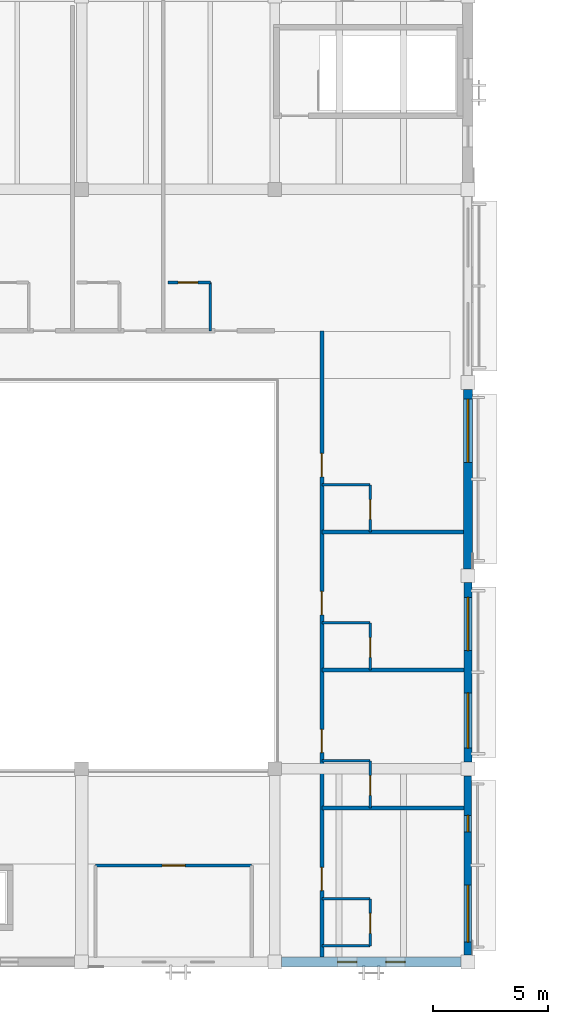
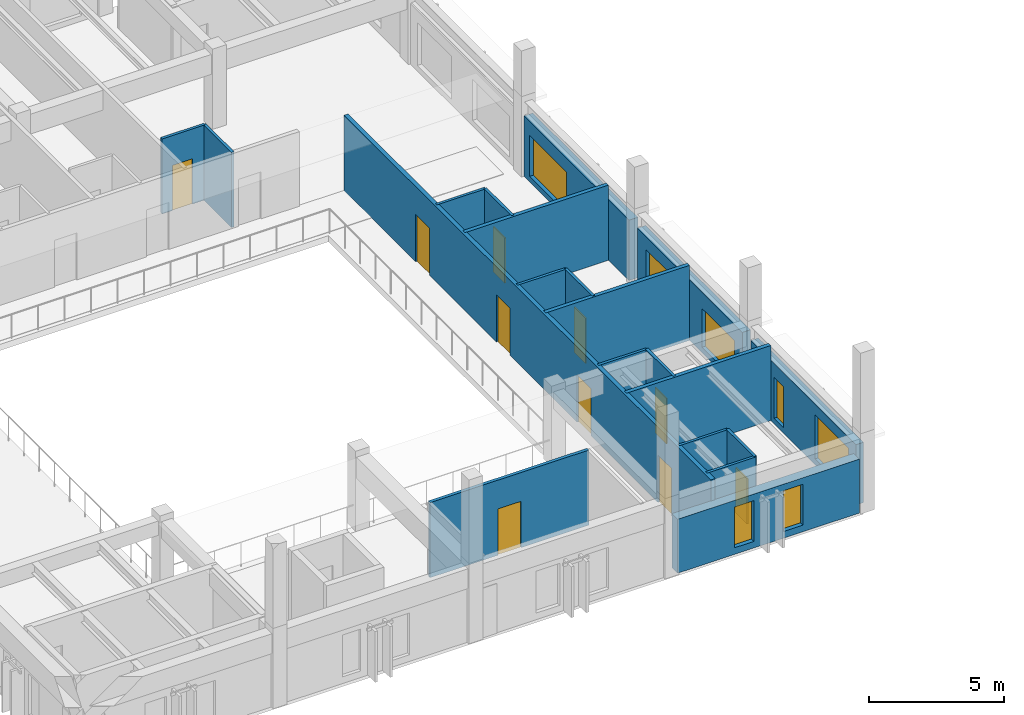
# One storey, part 68 of 118: 20 walls, 10 doors, 7 windows, 17 openings.
"""IFC4 building model written with IfcOpenShell, lengths in metres."""

from ifc_helpers import new_model, si_unit, direction, frame, frame_2d, origin, place, context, subcontext, project, spatial, rectangle, extrude, material, layer, layer_set, type_object, element, fill, save


model = new_model("IFC4")

# Units and contexts
model_context = context("Model", 3, precision=1e-05, world=origin(), true_north=direction((0.0, 1.0)))
body_context = subcontext(model_context, "Body", "Model", "MODEL_VIEW")
ifc_project = project(units=[si_unit("LENGTHUNIT", "METRE"), si_unit("AREAUNIT", "SQUARE_METRE"), si_unit("VOLUMEUNIT", "CUBIC_METRE"), si_unit("PLANEANGLEUNIT", "RADIAN"), si_unit("MASSUNIT", "GRAM", prefix="KILO")], contexts=[model_context])

# Site, building, storey
site_placement = place(None, origin())
site = spatial("IfcSite", under=ifc_project, at=site_placement, CompositionType="ELEMENT")
building_placement = place(site_placement, origin())
building = spatial("IfcBuilding", under=site, at=building_placement, Name="Cumbredor Promenade Congress Hotel", CompositionType="ELEMENT")
storey_placement = place(building_placement, frame((0.0, 0.0, 3.919921875)))
storey = spatial("IfcBuildingStorey", under=building, at=storey_placement, Name="L01", CompositionType="ELEMENT", Elevation=3.919921875)

# Wall, opening, door
ifc_material_1 = material(Name="Moisture-resistant gypsum board on steel studs", Category="steel")
ifc_layer_1 = layer(ifc_material_1, 0.114990234375, Name="Moisture-resistant gypsum board on steel studs", Category="steel")
ifc_layer_set_1 = layer_set([ifc_layer_1], Name="Moisture-resistant gypsum board on steel studs")
wall_type_1 = type_object("IfcWallType", Name="WL-BATH-115", PredefinedType="PARTITIONING", material=ifc_layer_set_1)
wall_1_placement = place(storey_placement, frame((96.14990234375, 37.949951171875, 0.0), z_axis=(0.0, 0.0, 1.0), x_axis=(1.0, 0.0, 0.0)))
wall_1 = element("IfcWall", 1, at=wall_1_placement, inside=storey, type_object=wall_type_1, Name="L01 Interior Partition W-L01-SBH-S104", PredefinedType="PARTITIONING", context=body_context, shape_type="SweptSolid", body=[
    extrude(rectangle(XDim=1.85009765625, YDim=0.114990234375, at=frame_2d((0.925048828125, 0.0))), origin(), (0.0, 0.0, 1.0), 3.405029296875),
])
opening_1_placement = place(wall_1_placement, frame((0.449951171875, 0.0, 0.0)))
opening_1 = element("IfcOpeningElement", 2, at=opening_1_placement, cuts=wall_1, Name="Opening ID-01", PredefinedType="OPENING", context=body_context, shape_type="SweptSolid", body=[
    extrude(rectangle(XDim=0.860107421875, YDim=2.050048828125, at=frame_2d((0.43017578125, 1.02490234375))), frame((0.0, 0.0673828125, 0.0), z_axis=(0.0, -1.0, 0.0), x_axis=(1.0, 0.0, 0.0)), (0.0, 0.0, 1.0), 0.135009765625),
])
ifc_material_2 = material(Name="Kiln-dried tropical hardwood", Category="wood")
door_type_1 = type_object("IfcDoorType", Name="DR-BATH-860", OperationType="NOTDEFINED", PredefinedType="DOOR", material=ifc_material_2)
door_1_placement = place(opening_1_placement, origin())
door_1 = element("IfcDoor", 3, at=door_1_placement, inside=storey, type_object=door_type_1, Name="L01 Interior Door W-L01-SBH-S104-01", OperationType="SINGLE_SWING_LEFT", OverallHeight=2.050048828125, OverallWidth=0.860107421875, PredefinedType="DOOR", context=body_context, shape_type="SweptSolid", body=[
    extrude(rectangle(XDim=0.860107421875, YDim=2.050048828125, at=frame_2d((0.43017578125, 1.02490234375))), frame((0.0, 0.02490234375, 0.0), z_axis=(0.0, -1.0, 0.0), x_axis=(1.0, 0.0, 0.0)), (0.0, 0.0, 1.0), 0.050048828125),
])
fill(opening_1, door_1)

# Wall
wall_2_placement = place(storey_placement, frame((98.0, 35.85009765625, 0.0), z_axis=(0.0, 0.0, 1.0), x_axis=(0.0, 1.0, 0.0)))
element("IfcWall", 4, at=wall_2_placement, inside=storey, type_object=wall_type_1, Name="L01 Interior Partition W-L01-SBV-S104", PredefinedType="PARTITIONING", context=body_context, shape_type="SweptSolid", body=[
    extrude(rectangle(XDim=2.099853515625, YDim=0.114990234375, at=frame_2d((1.0498046875, 0.0))), origin(), (0.0, 0.0, 1.0), 3.405029296875),
])

# Wall, opening, door
wall_3_placement = place(storey_placement, frame((104.949951171875, 9.10009765625, 0.0), z_axis=(0.0, 0.0, 1.0), x_axis=(0.0, 1.0, 0.0)))
wall_3 = element("IfcWall", 5, at=wall_3_placement, inside=storey, type_object=wall_type_1, Name="L01 Interior Partition W-L01-SEBH-S107", PredefinedType="PARTITIONING", context=body_context, shape_type="SweptSolid", body=[
    extrude(rectangle(XDim=2.0498046875, YDim=0.114990234375, at=frame_2d((1.02490234375, 0.0))), origin(), (0.0, 0.0, 1.0), 3.405029296875),
])
opening_2_placement = place(wall_3_placement, frame((0.550048828125, 0.0, 0.0)))
opening_2 = element("IfcOpeningElement", 6, at=opening_2_placement, cuts=wall_3, Name="Opening ID-01", PredefinedType="OPENING", context=body_context, shape_type="SweptSolid", body=[
    extrude(rectangle(XDim=0.860107421875, YDim=2.050048828125, at=frame_2d((0.43017578125, 1.02490234375))), frame((0.0, 0.0673828125, 0.0), z_axis=(0.0, -1.0, 0.0), x_axis=(1.0, 0.0, 0.0)), (0.0, 0.0, 1.0), 0.135009765625),
])
door_2_placement = place(opening_2_placement, origin())
door_2 = element("IfcDoor", 7, at=door_2_placement, inside=storey, type_object=door_type_1, Name="L01 Interior Door W-L01-SEBH-S107-01", OperationType="SINGLE_SWING_RIGHT", OverallHeight=2.050048828125, OverallWidth=0.860107421875, PredefinedType="DOOR", context=body_context, shape_type="SweptSolid", body=[
    extrude(rectangle(XDim=0.860107421875, YDim=2.050048828125, at=frame_2d((0.43017578125, 1.02490234375))), frame((0.0, 0.02490234375, 0.0), z_axis=(0.0, -1.0, 0.0), x_axis=(1.0, 0.0, 0.0)), (0.0, 0.0, 1.0), 0.050048828125),
])
fill(opening_2, door_2)

# Walls
for number, where, z_axis, x_axis, name in (
    (8, (102.85009765625, 11.14990234375, 0.0), (0.0, 0.0, 1.0), (1.0, 0.0, 0.0), "L01 Interior Partition W-L01-SEBV-S107"),
    (9, (102.85009765625, 9.10009765625, 0.0), (0.0, 0.0, 1.0), (1.0, 0.0, 0.0), "L01 Interior Partition W-L01-SEBV0-S107"),
):
    element("IfcWall", number, at=place(storey_placement, frame(where, z_axis=z_axis, x_axis=x_axis)), inside=storey, type_object=wall_type_1, Name=name, PredefinedType="PARTITIONING", context=body_context, shape_type="SweptSolid", body=[
        extrude(rectangle(XDim=2.099853515625, YDim=0.114990234375, at=frame_2d((1.0498046875, 0.0))), origin(), (0.0, 0.0, 1.0), 3.405029296875),
    ])

# Wall, opening, door
wall_4_placement = place(storey_placement, frame((104.949951171875, 15.10009765625, 0.0), z_axis=(0.0, 0.0, 1.0), x_axis=(0.0, 1.0, 0.0)))
wall_4 = element("IfcWall", 10, at=wall_4_placement, inside=storey, type_object=wall_type_1, Name="L01 Interior Partition W-L01-SEBH-S108", PredefinedType="PARTITIONING", context=body_context, shape_type="SweptSolid", body=[
    extrude(rectangle(XDim=2.0498046875, YDim=0.114990234375, at=frame_2d((1.02490234375, 0.0))), origin(), (0.0, 0.0, 1.0), 3.405029296875),
])
opening_3_placement = place(wall_4_placement, frame((0.550048828125, 0.0, 0.0)))
opening_3 = element("IfcOpeningElement", 11, at=opening_3_placement, cuts=wall_4, Name="Opening ID-01", PredefinedType="OPENING", context=body_context, shape_type="SweptSolid", body=[
    extrude(rectangle(XDim=0.860107421875, YDim=2.050048828125, at=frame_2d((0.43017578125, 1.02490234375))), frame((0.0, 0.0673828125, 0.0), z_axis=(0.0, -1.0, 0.0), x_axis=(1.0, 0.0, 0.0)), (0.0, 0.0, 1.0), 0.135009765625),
])
door_3_placement = place(opening_3_placement, origin())
door_3 = element("IfcDoor", 12, at=door_3_placement, inside=storey, type_object=door_type_1, Name="L01 Interior Door W-L01-SEBH-S108-01", OperationType="SINGLE_SWING_LEFT", OverallHeight=2.050048828125, OverallWidth=0.860107421875, PredefinedType="DOOR", context=body_context, shape_type="SweptSolid", body=[
    extrude(rectangle(XDim=0.860107421875, YDim=2.050048828125, at=frame_2d((0.43017578125, 1.02490234375))), frame((0.0, 0.02490234375, 0.0), z_axis=(0.0, -1.0, 0.0), x_axis=(1.0, 0.0, 0.0)), (0.0, 0.0, 1.0), 0.050048828125),
])
fill(opening_3, door_3)

# Wall
wall_5_placement = place(storey_placement, frame((102.85009765625, 17.14990234375, 0.0), z_axis=(0.0, 0.0, 1.0), x_axis=(1.0, 0.0, 0.0)))
element("IfcWall", 13, at=wall_5_placement, inside=storey, type_object=wall_type_1, Name="L01 Interior Partition W-L01-SEBV-S108", PredefinedType="PARTITIONING", context=body_context, shape_type="SweptSolid", body=[
    extrude(rectangle(XDim=2.099853515625, YDim=0.114990234375, at=frame_2d((1.0498046875, 0.0))), origin(), (0.0, 0.0, 1.0), 3.405029296875),
])

# Wall, opening, door
wall_6_placement = place(storey_placement, frame((104.949951171875, 21.10009765625, 0.0), z_axis=(0.0, 0.0, 1.0), x_axis=(0.0, 1.0, 0.0)))
wall_6 = element("IfcWall", 14, at=wall_6_placement, inside=storey, type_object=wall_type_1, Name="L01 Interior Partition W-L01-SEBH-S109", PredefinedType="PARTITIONING", context=body_context, shape_type="SweptSolid", body=[
    extrude(rectangle(XDim=2.0498046875, YDim=0.114990234375, at=frame_2d((1.02490234375, 0.0))), origin(), (0.0, 0.0, 1.0), 3.405029296875),
])
opening_4_placement = place(wall_6_placement, frame((0.550048828125, 0.0, 0.0)))
opening_4 = element("IfcOpeningElement", 15, at=opening_4_placement, cuts=wall_6, Name="Opening ID-01", PredefinedType="OPENING", context=body_context, shape_type="SweptSolid", body=[
    extrude(rectangle(XDim=0.860107421875, YDim=2.050048828125, at=frame_2d((0.43017578125, 1.02490234375))), frame((0.0, 0.0673828125, 0.0), z_axis=(0.0, -1.0, 0.0), x_axis=(1.0, 0.0, 0.0)), (0.0, 0.0, 1.0), 0.135009765625),
])
door_4_placement = place(opening_4_placement, origin())
door_4 = element("IfcDoor", 16, at=door_4_placement, inside=storey, type_object=door_type_1, Name="L01 Interior Door W-L01-SEBH-S109-01", OperationType="SINGLE_SWING_RIGHT", OverallHeight=2.050048828125, OverallWidth=0.860107421875, PredefinedType="DOOR", context=body_context, shape_type="SweptSolid", body=[
    extrude(rectangle(XDim=0.860107421875, YDim=2.050048828125, at=frame_2d((0.43017578125, 1.02490234375))), frame((0.0, 0.02490234375, 0.0), z_axis=(0.0, -1.0, 0.0), x_axis=(1.0, 0.0, 0.0)), (0.0, 0.0, 1.0), 0.050048828125),
])
fill(opening_4, door_4)

# Wall
wall_7_placement = place(storey_placement, frame((102.85009765625, 23.14990234375, 0.0), z_axis=(0.0, 0.0, 1.0), x_axis=(1.0, 0.0, 0.0)))
element("IfcWall", 17, at=wall_7_placement, inside=storey, type_object=wall_type_1, Name="L01 Interior Partition W-L01-SEBV-S109", PredefinedType="PARTITIONING", context=body_context, shape_type="SweptSolid", body=[
    extrude(rectangle(XDim=2.099853515625, YDim=0.114990234375, at=frame_2d((1.0498046875, 0.0))), origin(), (0.0, 0.0, 1.0), 3.405029296875),
])

# Wall, opening, door
wall_8_placement = place(storey_placement, frame((104.949951171875, 27.10009765625, 0.0), z_axis=(0.0, 0.0, 1.0), x_axis=(0.0, 1.0, 0.0)))
wall_8 = element("IfcWall", 18, at=wall_8_placement, inside=storey, type_object=wall_type_1, Name="L01 Interior Partition W-L01-SEBH-S110", PredefinedType="PARTITIONING", context=body_context, shape_type="SweptSolid", body=[
    extrude(rectangle(XDim=2.0498046875, YDim=0.114990234375, at=frame_2d((1.02490234375, 0.0))), origin(), (0.0, 0.0, 1.0), 3.405029296875),
])
opening_5_placement = place(wall_8_placement, frame((0.550048828125, 0.0, 0.0)))
opening_5 = element("IfcOpeningElement", 19, at=opening_5_placement, cuts=wall_8, Name="Opening ID-01", PredefinedType="OPENING", context=body_context, shape_type="SweptSolid", body=[
    extrude(rectangle(XDim=0.860107421875, YDim=2.050048828125, at=frame_2d((0.43017578125, 1.02490234375))), frame((0.0, 0.0673828125, 0.0), z_axis=(0.0, -1.0, 0.0), x_axis=(1.0, 0.0, 0.0)), (0.0, 0.0, 1.0), 0.135009765625),
])
door_5_placement = place(opening_5_placement, origin())
door_5 = element("IfcDoor", 20, at=door_5_placement, inside=storey, type_object=door_type_1, Name="L01 Interior Door W-L01-SEBH-S110-01", OperationType="SINGLE_SWING_LEFT", OverallHeight=2.050048828125, OverallWidth=0.860107421875, PredefinedType="DOOR", context=body_context, shape_type="SweptSolid", body=[
    extrude(rectangle(XDim=0.860107421875, YDim=2.050048828125, at=frame_2d((0.43017578125, 1.02490234375))), frame((0.0, 0.02490234375, 0.0), z_axis=(0.0, -1.0, 0.0), x_axis=(1.0, 0.0, 0.0)), (0.0, 0.0, 1.0), 0.050048828125),
])
fill(opening_5, door_5)

# Wall
wall_9_placement = place(storey_placement, frame((102.85009765625, 29.14990234375, 0.0), z_axis=(0.0, 0.0, 1.0), x_axis=(1.0, 0.0, 0.0)))
element("IfcWall", 21, at=wall_9_placement, inside=storey, type_object=wall_type_1, Name="L01 Interior Partition W-L01-SEBV-S110", PredefinedType="PARTITIONING", context=body_context, shape_type="SweptSolid", body=[
    extrude(rectangle(XDim=2.099853515625, YDim=0.114990234375, at=frame_2d((1.0498046875, 0.0))), origin(), (0.0, 0.0, 1.0), 3.405029296875),
])

# Wall, openings, doors
ifc_material_3 = material(Name="Fire-rated hotel corridor wall")
ifc_layer_2 = layer(ifc_material_3, 0.179931640625, Name="Fire-rated hotel corridor wall")
ifc_layer_set_2 = layer_set([ifc_layer_2], Name="Fire-rated hotel corridor wall")
wall_type_2 = type_object("IfcWallType", Name="WL-CORR-180", PredefinedType="PARTITIONING", material=ifc_layer_set_2)
wall_10_placement = place(storey_placement, frame((102.85009765625, 8.590087890625, 0.0), z_axis=(0.0, 0.0, 1.0), x_axis=(0.0, 1.0, 0.0)))
wall_10 = element("IfcWall", 22, at=wall_10_placement, inside=storey, type_object=wall_type_2, Name="L01 Interior Partition W-L01-SECORRW", PredefinedType="PARTITIONING", context=body_context, shape_type="SweptSolid", body=[
    extrude(rectangle(XDim=27.260009765625, YDim=0.179931640625, at=frame_2d((13.6298828125, 0.0))), origin(), (0.0, 0.0, 1.0), 3.405029296875),
])
opening_6_placement = place(wall_10_placement, frame((2.909912109375, 0.0, 0.0)))
opening_6 = element("IfcOpeningElement", 23, at=opening_6_placement, cuts=wall_10, Name="Opening FD-02", PredefinedType="OPENING", context=body_context, shape_type="SweptSolid", body=[
    extrude(rectangle(XDim=1.02001953125, YDim=2.14990234375, at=frame_2d((0.510009765625, 1.074951171875))), frame((0.0, 0.10009765625, 0.0), z_axis=(0.0, -1.0, 0.0), x_axis=(1.0, 0.0, 0.0)), (0.0, 0.0, 1.0), 0.199951171875),
])
opening_7_placement = place(wall_10_placement, frame((8.909912109375, 0.0, 0.0)))
opening_7 = element("IfcOpeningElement", 24, at=opening_7_placement, cuts=wall_10, Name="Opening FD-02", PredefinedType="OPENING", context=body_context, shape_type="SweptSolid", body=[
    extrude(rectangle(XDim=1.02001953125, YDim=2.14990234375, at=frame_2d((0.510009765625, 1.074951171875))), frame((0.0, 0.10009765625, 0.0), z_axis=(0.0, -1.0, 0.0), x_axis=(1.0, 0.0, 0.0)), (0.0, 0.0, 1.0), 0.199951171875),
])
opening_8_placement = place(wall_10_placement, frame((14.909912109375, 0.0, 0.0)))
opening_8 = element("IfcOpeningElement", 25, at=opening_8_placement, cuts=wall_10, Name="Opening FD-02", PredefinedType="OPENING", context=body_context, shape_type="SweptSolid", body=[
    extrude(rectangle(XDim=1.02001953125, YDim=2.14990234375, at=frame_2d((0.510009765625, 1.074951171875))), frame((0.0, 0.10009765625, 0.0), z_axis=(0.0, -1.0, 0.0), x_axis=(1.0, 0.0, 0.0)), (0.0, 0.0, 1.0), 0.199951171875),
])
opening_9_placement = place(wall_10_placement, frame((20.909912109375, 0.0, 0.0)))
opening_9 = element("IfcOpeningElement", 26, at=opening_9_placement, cuts=wall_10, Name="Opening FD-02", PredefinedType="OPENING", context=body_context, shape_type="SweptSolid", body=[
    extrude(rectangle(XDim=1.02001953125, YDim=2.14990234375, at=frame_2d((0.510009765625, 1.074951171875))), frame((0.0, 0.10009765625, 0.0), z_axis=(0.0, -1.0, 0.0), x_axis=(1.0, 0.0, 0.0)), (0.0, 0.0, 1.0), 0.199951171875),
])
ifc_material_4 = material(Name="Solid-core fire-rated tropical hardwood", Category="wood")
door_type_2 = type_object("IfcDoorType", Name="DR-GUEST-FD30-1000", OperationType="NOTDEFINED", PredefinedType="DOOR", material=ifc_material_4)
door_6_placement = place(opening_6_placement, origin())
door_6 = element("IfcDoor", 27, at=door_6_placement, inside=storey, type_object=door_type_2, Name="L01 Interior Door W-L01-SECORRW-01", OperationType="SINGLE_SWING_LEFT", OverallHeight=2.14990234375, OverallWidth=1.02001953125, PredefinedType="DOOR", context=body_context, shape_type="SweptSolid", body=[
    extrude(rectangle(XDim=1.02001953125, YDim=2.14990234375, at=frame_2d((0.510009765625, 1.074951171875))), frame((0.0, 0.02490234375, 0.0), z_axis=(0.0, -1.0, 0.0), x_axis=(1.0, 0.0, 0.0)), (0.0, 0.0, 1.0), 0.050048828125),
])
fill(opening_6, door_6)
door_7_placement = place(opening_7_placement, origin())
door_7 = element("IfcDoor", 28, at=door_7_placement, inside=storey, type_object=door_type_2, Name="L01 Interior Door W-L01-SECORRW-02", OperationType="SINGLE_SWING_RIGHT", OverallHeight=2.14990234375, OverallWidth=1.02001953125, PredefinedType="DOOR", context=body_context, shape_type="SweptSolid", body=[
    extrude(rectangle(XDim=1.02001953125, YDim=2.14990234375, at=frame_2d((0.510009765625, 1.074951171875))), frame((0.0, 0.02490234375, 0.0), z_axis=(0.0, -1.0, 0.0), x_axis=(1.0, 0.0, 0.0)), (0.0, 0.0, 1.0), 0.050048828125),
])
fill(opening_7, door_7)
door_8_placement = place(opening_8_placement, origin())
door_8 = element("IfcDoor", 29, at=door_8_placement, inside=storey, type_object=door_type_2, Name="L01 Interior Door W-L01-SECORRW-03", OperationType="SINGLE_SWING_LEFT", OverallHeight=2.14990234375, OverallWidth=1.02001953125, PredefinedType="DOOR", context=body_context, shape_type="SweptSolid", body=[
    extrude(rectangle(XDim=1.02001953125, YDim=2.14990234375, at=frame_2d((0.510009765625, 1.074951171875))), frame((0.0, 0.02490234375, 0.0), z_axis=(0.0, -1.0, 0.0), x_axis=(1.0, 0.0, 0.0)), (0.0, 0.0, 1.0), 0.050048828125),
])
fill(opening_8, door_8)
door_9_placement = place(opening_9_placement, origin())
door_9 = element("IfcDoor", 30, at=door_9_placement, inside=storey, type_object=door_type_2, Name="L01 Interior Door W-L01-SECORRW-04", OperationType="SINGLE_SWING_RIGHT", OverallHeight=2.14990234375, OverallWidth=1.02001953125, PredefinedType="DOOR", context=body_context, shape_type="SweptSolid", body=[
    extrude(rectangle(XDim=1.02001953125, YDim=2.14990234375, at=frame_2d((0.510009765625, 1.074951171875))), frame((0.0, 0.02490234375, 0.0), z_axis=(0.0, -1.0, 0.0), x_axis=(1.0, 0.0, 0.0)), (0.0, 0.0, 1.0), 0.050048828125),
])
fill(opening_9, door_9)

# Wall, openings, windows
ifc_material_5 = material(Name="Concrete C40/50", Category="concrete")
ifc_layer_3 = layer(ifc_material_5, 0.324951171875, Name="Concrete C40/50", Category="concrete")
ifc_layer_set_3 = layer_set([ifc_layer_3], Name="Concrete C40/50")
wall_type_3 = type_object("IfcWallType", Name="WL-EXT-325", PredefinedType="SOLIDWALL", material=ifc_layer_set_3)
wall_11_placement = place(storey_placement, frame((109.199951171875, 8.700927734375, 0.0), z_axis=(0.0, 0.0, 1.0), x_axis=(0.0, 1.0, 0.0)))
wall_11 = element("IfcWall", 31, at=wall_11_placement, inside=storey, type_object=wall_type_3, Name="L01 Thermal Spa and Hydrotherapy Pavilion East Envelope Wall 1", PredefinedType="SOLIDWALL", context=body_context, shape_type="SweptSolid", body=[
    extrude(rectangle(XDim=7.798095703125, YDim=0.324951171875, at=frame_2d((3.89892578125, 0.0))), origin(), (0.0, 0.0, 1.0), 2.734130859375),
])
opening_10_placement = place(wall_11_placement, frame((0.55908203125, 0.0, 0.25)))
opening_10 = element("IfcOpeningElement", 32, at=opening_10_placement, cuts=wall_11, Name="Opening WN-42", PredefinedType="OPENING", context=body_context, shape_type="SweptSolid", body=[
    extrude(rectangle(XDim=2.47998046875, YDim=2.0, at=frame_2d((1.239990234375, 1.0))), frame((0.0, 0.17236328125, 0.0), z_axis=(0.0, -1.0, 0.0), x_axis=(1.0, 0.0, 0.0)), (0.0, 0.0, 1.0), 0.344970703125),
])
opening_11_placement = place(wall_11_placement, frame((5.35888671875, 0.0, 0.25)))
opening_11 = element("IfcOpeningElement", 33, at=opening_11_placement, cuts=wall_11, Name="Opening WN-45", PredefinedType="OPENING", context=body_context, shape_type="SweptSolid", body=[
    extrude(rectangle(XDim=0.719970703125, YDim=1.85009765625, at=frame_2d((0.35986328125, 0.925048828125))), frame((0.0, 0.17236328125, 0.0), z_axis=(0.0, -1.0, 0.0), x_axis=(1.0, 0.0, 0.0)), (0.0, 0.0, 1.0), 0.344970703125),
])
ifc_material_6 = material(Name="Thermally broken anodized aluminium and low-E glass", Category="aluminium")
window_type_1 = type_object("IfcWindowType", Name="Hospitality Floor-to-Ceiling Window WN-42 2480x2000", PartitioningType="DOUBLE_PANEL_VERTICAL", PredefinedType="WINDOW", material=ifc_material_6)
window_1_placement = place(opening_10_placement, origin())
window_1 = element("IfcWindow", 34, at=window_1_placement, inside=storey, type_object=window_type_1, Name="L01 Wide Hospitality Window 0141", OverallHeight=2.0, OverallWidth=2.47998046875, PartitioningType="DOUBLE_PANEL_VERTICAL", PredefinedType="WINDOW", context=body_context, shape_type="SweptSolid", body=[
    extrude(rectangle(XDim=2.47998046875, YDim=2.0, at=frame_2d((1.239990234375, 1.0))), frame((0.0, 0.030029296875, 0.0), z_axis=(0.0, -1.0, 0.0), x_axis=(1.0, 0.0, 0.0)), (0.0, 0.0, 1.0), 0.06005859375),
])
fill(opening_10, window_1)
window_type_2 = type_object("IfcWindowType", Name="Vertical Slot Window WN-45 720x1850", PartitioningType="SINGLE_PANEL", PredefinedType="WINDOW", material=ifc_material_6)
window_2_placement = place(opening_11_placement, origin())
window_2 = element("IfcWindow", 35, at=window_2_placement, inside=storey, type_object=window_type_2, Name="L01 Wide Hospitality Window 0142", OverallHeight=1.85009765625, OverallWidth=0.719970703125, PartitioningType="SINGLE_PANEL", PredefinedType="WINDOW", context=body_context, shape_type="SweptSolid", body=[
    extrude(rectangle(XDim=0.719970703125, YDim=1.85009765625, at=frame_2d((0.35986328125, 0.925048828125))), frame((0.0, 0.030029296875, 0.0), z_axis=(0.0, -1.0, 0.0), x_axis=(1.0, 0.0, 0.0)), (0.0, 0.0, 1.0), 0.06005859375),
])
fill(opening_11, window_2)

ifc_layer_4 = layer(ifc_material_5, 0.35009765625, Name="Concrete C40/50", Category="concrete")
ifc_layer_set_4 = layer_set([ifc_layer_4], Name="Concrete C40/50")
wall_type_4 = type_object("IfcWallType", Name="WL-EXT-350", PredefinedType="SOLIDWALL", material=ifc_layer_set_4)
wall_12_placement = place(storey_placement, frame((109.199951171875, 17.10107421875, 0.0), z_axis=(0.0, 0.0, 1.0), x_axis=(0.0, 1.0, 0.0)))
wall_12 = element("IfcWall", 36, at=wall_12_placement, inside=storey, type_object=wall_type_4, Name="L01 Thermal Spa and Hydrotherapy Pavilion East Envelope Wall 2", PredefinedType="SOLIDWALL", context=body_context, shape_type="SweptSolid", body=[
    extrude(rectangle(XDim=7.7978515625, YDim=0.35009765625, at=frame_2d((3.89892578125, 0.0))), origin(), (0.0, 0.0, 1.0), 2.734130859375),
])
opening_12_placement = place(wall_12_placement, frame((0.59912109375, 0.0, 0.25)))
opening_12 = element("IfcOpeningElement", 37, at=opening_12_placement, cuts=wall_12, Name="Opening WN-26", PredefinedType="OPENING", context=body_context, shape_type="SweptSolid", body=[
    extrude(rectangle(XDim=2.39990234375, YDim=1.75, at=frame_2d((1.199951171875, 0.875))), frame((0.0, 0.18505859375, 0.0), z_axis=(0.0, -1.0, 0.0), x_axis=(1.0, 0.0, 0.0)), (0.0, 0.0, 1.0), 0.3701171875),
])
opening_13_placement = place(wall_12_placement, frame((4.839111328125, 0.0, 0.25)))
opening_13 = element("IfcOpeningElement", 38, at=opening_13_placement, cuts=wall_12, Name="Opening WN-36", PredefinedType="OPENING", context=body_context, shape_type="SweptSolid", body=[
    extrude(rectangle(XDim=2.320068359375, YDim=1.89990234375, at=frame_2d((1.16015625, 0.949951171875))), frame((0.0, 0.18505859375, 0.0), z_axis=(0.0, -1.0, 0.0), x_axis=(1.0, 0.0, 0.0)), (0.0, 0.0, 1.0), 0.3701171875),
])
window_type_3 = type_object("IfcWindowType", Name="Hospitality Floor-to-Ceiling Window WN-26 2400x1750", PartitioningType="DOUBLE_PANEL_VERTICAL", PredefinedType="WINDOW", material=ifc_material_6)
window_3_placement = place(opening_12_placement, origin())
window_3 = element("IfcWindow", 39, at=window_3_placement, inside=storey, type_object=window_type_3, Name="L01 Wide Hospitality Window 0143", OverallHeight=1.75, OverallWidth=2.39990234375, PartitioningType="DOUBLE_PANEL_VERTICAL", PredefinedType="WINDOW", context=body_context, shape_type="SweptSolid", body=[
    extrude(rectangle(XDim=2.39990234375, YDim=1.75, at=frame_2d((1.199951171875, 0.875))), frame((0.0, 0.030029296875, 0.0), z_axis=(0.0, -1.0, 0.0), x_axis=(1.0, 0.0, 0.0)), (0.0, 0.0, 1.0), 0.06005859375),
])
fill(opening_12, window_3)
window_type_4 = type_object("IfcWindowType", Name="Hospitality Floor-to-Ceiling Window WN-36 2320x1900", PartitioningType="DOUBLE_PANEL_VERTICAL", PredefinedType="WINDOW", material=ifc_material_6)
window_4_placement = place(opening_13_placement, origin())
window_4 = element("IfcWindow", 40, at=window_4_placement, inside=storey, type_object=window_type_4, Name="L01 Wide Hospitality Window 0144", OverallHeight=1.89990234375, OverallWidth=2.320068359375, PartitioningType="DOUBLE_PANEL_VERTICAL", PredefinedType="WINDOW", context=body_context, shape_type="SweptSolid", body=[
    extrude(rectangle(XDim=2.320068359375, YDim=1.89990234375, at=frame_2d((1.16015625, 0.949951171875))), frame((0.0, 0.030029296875, 0.0), z_axis=(0.0, -1.0, 0.0), x_axis=(1.0, 0.0, 0.0)), (0.0, 0.0, 1.0), 0.06005859375),
])
fill(opening_13, window_4)

# Wall, opening, window
ifc_layer_5 = layer(ifc_material_5, 0.3798828125, Name="Concrete C40/50", Category="concrete")
ifc_layer_set_5 = layer_set([ifc_layer_5], Name="Concrete C40/50")
wall_type_5 = type_object("IfcWallType", Name="WL-EXT-380", PredefinedType="SOLIDWALL", material=ifc_layer_set_5)
wall_13_placement = place(storey_placement, frame((109.199951171875, 25.5009765625, 0.0), z_axis=(0.0, 0.0, 1.0), x_axis=(0.0, 1.0, 0.0)))
wall_13 = element("IfcWall", 41, at=wall_13_placement, inside=storey, type_object=wall_type_5, Name="L01 Thermal Spa and Hydrotherapy Pavilion East Envelope Wall 3", PredefinedType="SOLIDWALL", context=body_context, shape_type="SweptSolid", body=[
    extrude(rectangle(XDim=7.798095703125, YDim=0.3798828125, at=frame_2d((3.89892578125, 0.0))), origin(), (0.0, 0.0, 1.0), 2.734130859375),
])
opening_14_placement = place(wall_13_placement, frame((4.6240234375, 0.0, 0.25)))
opening_14 = element("IfcOpeningElement", 42, at=opening_14_placement, cuts=wall_13, Name="Opening WN-06", PredefinedType="OPENING", context=body_context, shape_type="SweptSolid", body=[
    extrude(rectangle(XDim=2.75, YDim=1.85009765625, at=frame_2d((1.375, 0.925048828125))), frame((0.0, 0.199951171875, 0.0), z_axis=(0.0, -1.0, 0.0), x_axis=(1.0, 0.0, 0.0)), (0.0, 0.0, 1.0), 0.39990234375),
])
window_type_5 = type_object("IfcWindowType", Name="Hospitality Floor-to-Ceiling Window WN-06 2750x1850", PartitioningType="DOUBLE_PANEL_VERTICAL", PredefinedType="WINDOW", material=ifc_material_6)
window_5_placement = place(opening_14_placement, origin())
window_5 = element("IfcWindow", 43, at=window_5_placement, inside=storey, type_object=window_type_5, Name="L01 Wide Hospitality Window 0146", OverallHeight=1.85009765625, OverallWidth=2.75, PartitioningType="DOUBLE_PANEL_VERTICAL", PredefinedType="WINDOW", context=body_context, shape_type="SweptSolid", body=[
    extrude(rectangle(XDim=2.75, YDim=1.85009765625, at=frame_2d((1.375, 0.925048828125))), frame((0.0, 0.030029296875, 0.0), z_axis=(0.0, -1.0, 0.0), x_axis=(1.0, 0.0, 0.0)), (0.0, 0.0, 1.0), 0.06005859375),
])
fill(opening_14, window_5)

# Wall, openings, windows
ifc_layer_6 = layer(ifc_material_5, 0.425048828125, Name="Concrete C40/50", Category="concrete")
ifc_layer_set_6 = layer_set([ifc_layer_6], Name="Concrete C40/50")
wall_type_6 = type_object("IfcWallType", Name="WL-EXT-425", PredefinedType="SOLIDWALL", material=ifc_layer_set_6)
wall_14_placement = place(storey_placement, frame((101.10107421875, 8.39990234375, 0.0), z_axis=(0.0, 0.0, 1.0), x_axis=(1.0, 0.0, 0.0)))
wall_14 = element("IfcWall", 44, at=wall_14_placement, inside=storey, type_object=wall_type_6, Name="L01 Thermal Spa and Hydrotherapy Pavilion South Envelope Wall 4", PredefinedType="SOLIDWALL", context=body_context, shape_type="SweptSolid", body=[
    extrude(rectangle(XDim=7.7978515625, YDim=0.425048828125, at=frame_2d((3.89892578125, 0.0))), origin(), (0.0, 0.0, 1.0), 2.445068359375),
])
opening_15_placement = place(wall_14_placement, frame((2.428955078125, 0.0, 0.300048828125)))
opening_15 = element("IfcOpeningElement", 45, at=opening_15_placement, cuts=wall_14, Name="Opening WN-47", PredefinedType="OPENING", context=body_context, shape_type="SweptSolid", body=[
    extrude(rectangle(XDim=0.840087890625, YDim=1.85009765625, at=frame_2d((0.419921875, 0.925048828125))), frame((0.0, 0.22265625, 0.0), z_axis=(0.0, -1.0, 0.0), x_axis=(1.0, 0.0, 0.0)), (0.0, 0.0, 1.0), 0.445068359375),
])
opening_16_placement = place(wall_14_placement, frame((4.529052734375, 0.0, 0.300048828125)))
opening_16 = element("IfcOpeningElement", 46, at=opening_16_placement, cuts=wall_14, Name="Opening WN-47", PredefinedType="OPENING", context=body_context, shape_type="SweptSolid", body=[
    extrude(rectangle(XDim=0.840087890625, YDim=1.85009765625, at=frame_2d((0.419921875, 0.925048828125))), frame((0.0, 0.22265625, 0.0), z_axis=(0.0, -1.0, 0.0), x_axis=(1.0, 0.0, 0.0)), (0.0, 0.0, 1.0), 0.445068359375),
])
window_type_6 = type_object("IfcWindowType", Name="Vertical Slot Window WN-47 840x1850", PartitioningType="SINGLE_PANEL", PredefinedType="WINDOW", material=ifc_material_6)
window_6_placement = place(opening_15_placement, origin())
window_6 = element("IfcWindow", 47, at=window_6_placement, inside=storey, type_object=window_type_6, Name="L01 Vertical Slot Window 0129", OverallHeight=1.85009765625, OverallWidth=0.840087890625, PartitioningType="SINGLE_PANEL", PredefinedType="WINDOW", context=body_context, shape_type="SweptSolid", body=[
    extrude(rectangle(XDim=0.840087890625, YDim=1.85009765625, at=frame_2d((0.419921875, 0.925048828125))), frame((0.0, 0.030029296875, 0.0), z_axis=(0.0, -1.0, 0.0), x_axis=(1.0, 0.0, 0.0)), (0.0, 0.0, 1.0), 0.06005859375),
])
fill(opening_15, window_6)
window_7_placement = place(opening_16_placement, origin())
window_7 = element("IfcWindow", 48, at=window_7_placement, inside=storey, type_object=window_type_6, Name="L01 Vertical Slot Window 0130", OverallHeight=1.85009765625, OverallWidth=0.840087890625, PartitioningType="SINGLE_PANEL", PredefinedType="WINDOW", context=body_context, shape_type="SweptSolid", body=[
    extrude(rectangle(XDim=0.840087890625, YDim=1.85009765625, at=frame_2d((0.419921875, 0.925048828125))), frame((0.0, 0.030029296875, 0.0), z_axis=(0.0, -1.0, 0.0), x_axis=(1.0, 0.0, 0.0)), (0.0, 0.0, 1.0), 0.06005859375),
])
fill(opening_16, window_7)

# Wall, opening, door
ifc_material_7 = material(Name="Acoustic gypsum partition on steel studs", Category="steel")
ifc_layer_7 = layer(ifc_material_7, 0.139892578125, Name="Acoustic gypsum partition on steel studs", Category="steel")
ifc_layer_set_7 = layer_set([ifc_layer_7], Name="Acoustic gypsum partition on steel studs")
wall_type_7 = type_object("IfcWallType", Name="WL-PART-140", PredefinedType="PARTITIONING", material=ifc_layer_set_7)
wall_15_placement = place(storey_placement, frame((93.0, 12.60009765625, 0.0), z_axis=(0.0, 0.0, 1.0), x_axis=(1.0, 0.0, 0.0)))
wall_15 = element("IfcWall", 49, at=wall_15_placement, inside=storey, type_object=wall_type_7, Name="L01 Interior Partition W-L01-V3-WC-N", PredefinedType="PARTITIONING", context=body_context, shape_type="SweptSolid", body=[
    extrude(rectangle(XDim=6.800048828125, YDim=0.139892578125, at=frame_2d((3.39990234375, 0.0))), origin(), (0.0, 0.0, 1.0), 3.405029296875),
])
opening_17_placement = place(wall_15_placement, frame((2.89990234375, 0.0, 0.0)))
opening_17 = element("IfcOpeningElement", 50, at=opening_17_placement, cuts=wall_15, Name="Opening ID-03", PredefinedType="OPENING", context=body_context, shape_type="SweptSolid", body=[
    extrude(rectangle(XDim=1.0, YDim=2.10009765625, at=frame_2d((0.5, 1.050048828125))), frame((0.0, 0.080078125, 0.0), z_axis=(0.0, -1.0, 0.0), x_axis=(1.0, 0.0, 0.0)), (0.0, 0.0, 1.0), 0.159912109375),
])
door_type_3 = type_object("IfcDoorType", Name="DR-ACC-1000", OperationType="NOTDEFINED", PredefinedType="DOOR", material=ifc_material_2)
door_10_placement = place(opening_17_placement, origin())
door_10 = element("IfcDoor", 51, at=door_10_placement, inside=storey, type_object=door_type_3, Name="L01 Interior Door W-L01-V3-WC-N-01", OperationType="SINGLE_SWING_LEFT", OverallHeight=2.10009765625, OverallWidth=1.0, PredefinedType="DOOR", context=body_context, shape_type="SweptSolid", body=[
    extrude(rectangle(XDim=1.0, YDim=2.10009765625, at=frame_2d((0.5, 1.050048828125))), frame((0.0, 0.02490234375, 0.0), z_axis=(0.0, -1.0, 0.0), x_axis=(1.0, 0.0, 0.0)), (0.0, 0.0, 1.0), 0.050048828125),
])
fill(opening_17, door_10)

# Walls
ifc_material_8 = material(Name="Fire-rated acoustic double-stud partition")
ifc_layer_8 = layer(ifc_material_8, 0.1650390625, Name="Fire-rated acoustic double-stud partition")
ifc_layer_set_8 = layer_set([ifc_layer_8], Name="Fire-rated acoustic double-stud partition")
wall_type_8 = type_object("IfcWallType", Name="WL-UNIT-165", PredefinedType="PARTITIONING", material=ifc_layer_set_8)
wall_16_placement = place(storey_placement, frame((102.85009765625, 15.10009765625, 0.0), z_axis=(0.0, 0.0, 1.0), x_axis=(1.0, 0.0, 0.0)))
element("IfcWall", 52, at=wall_16_placement, inside=storey, type_object=wall_type_8, Name="L01 Interior Partition W-L01-SEDIV-1", PredefinedType="PARTITIONING", context=body_context, shape_type="SweptSolid", body=[
    extrude(rectangle(XDim=6.1875, YDim=0.1650390625, at=frame_2d((3.09375, 0.0))), origin(), (0.0, 0.0, 1.0), 3.405029296875),
])
wall_17_placement = place(storey_placement, frame((102.85009765625, 21.10009765625, 0.0), z_axis=(0.0, 0.0, 1.0), x_axis=(1.0, 0.0, 0.0)))
element("IfcWall", 53, at=wall_17_placement, inside=storey, type_object=wall_type_8, Name="L01 Interior Partition W-L01-SEDIV-2", PredefinedType="PARTITIONING", context=body_context, shape_type="SweptSolid", body=[
    extrude(rectangle(XDim=6.1748046875, YDim=0.1650390625, at=frame_2d((3.08740234375, 0.0))), origin(), (0.0, 0.0, 1.0), 3.405029296875),
])
wall_18_placement = place(storey_placement, frame((102.85009765625, 27.10009765625, 0.0), z_axis=(0.0, 0.0, 1.0), x_axis=(1.0, 0.0, 0.0)))
element("IfcWall", 54, at=wall_18_placement, inside=storey, type_object=wall_type_8, Name="L01 Interior Partition W-L01-SEDIV-3", PredefinedType="PARTITIONING", context=body_context, shape_type="SweptSolid", body=[
    extrude(rectangle(XDim=6.159912109375, YDim=0.1650390625, at=frame_2d((3.080078125, 0.0))), origin(), (0.0, 0.0, 1.0), 3.405029296875),
])

save(model, "model.ifc")
